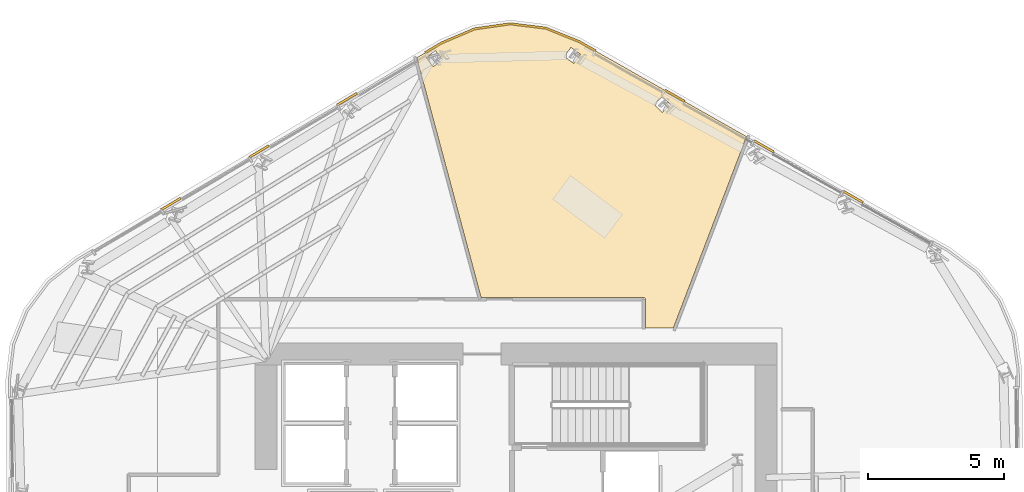
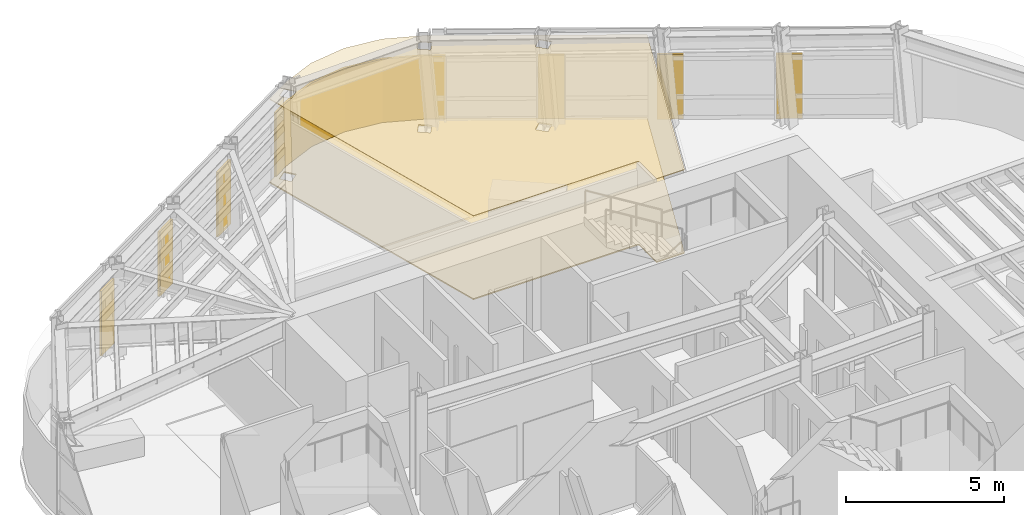
# One storey, part 15 of 16: 9 coverings.
"""IFC4 building model written with IfcOpenShell, lengths in metres."""

from ifc_helpers import new_model, si_unit, direction, frame, origin, place, context, subcontext, project, spatial, polyline, outline, extrude, material, layer, layer_set, type_object, element, save


model = new_model("IFC4")

# Units and contexts
model_context = context("Model", 3, precision=1e-05, world=origin(), true_north=direction((0.0, 1.0)))
body_context = subcontext(model_context, "Body", "Model", "MODEL_VIEW")
ifc_project = project(units=[si_unit("LENGTHUNIT", "METRE"), si_unit("AREAUNIT", "SQUARE_METRE"), si_unit("VOLUMEUNIT", "CUBIC_METRE"), si_unit("PLANEANGLEUNIT", "RADIAN"), si_unit("MASSUNIT", "GRAM", prefix="KILO")], contexts=[model_context])

# Site, building, storey
site_placement = place(None, origin())
site = spatial("IfcSite", under=ifc_project, at=site_placement, CompositionType="ELEMENT")
building_placement = place(site_placement, origin())
building = spatial("IfcBuilding", under=site, at=building_placement, Name="Valkerne Bourse Tower", CompositionType="ELEMENT")
storey_placement = place(building_placement, frame((0.0, 0.0, 155.199951171875)))
storey = spatial("IfcBuildingStorey", under=building, at=storey_placement, Name="L39", CompositionType="ELEMENT", Elevation=155.199951171875)

# Coverings
ifc_material_1 = material(Name="Mineral Fiber Acoustic Ceiling Tile", Category="acoustic")
ifc_layer_1 = layer(ifc_material_1, 0.02490234375)
ifc_layer_set_1 = layer_set([ifc_layer_1], Name="Mineral Fiber Acoustic Ceiling Tile")
covering_type_1 = type_object("IfcCoveringType", Name="COV-CEIL-ACT", PredefinedType="CEILING", material=ifc_layer_set_1)
covering_1_placement = place(storey_placement, frame((0.0, 0.0, 3.22998046875)))
element("IfcCovering", 1, at=covering_1_placement, inside=storey, type_object=covering_type_1, Name="L39 Suspended Ceiling 10", PredefinedType="CEILING", context=body_context, shape_type="SweptSolid", body=[
    extrude(outline(polyline([(46.583251953125, 47.69580078125), (47.893310546875, 47.537353515625), (49.126220703125, 47.041748046875), (55.288330078125, 43.54833984375), (52.592041015625, 36.5), (51.569091796875, 36.5), (51.56884765625, 37.5634765625), (51.5517578125, 37.606201171875), (51.510986328125, 37.628173828125), (45.514404296875, 37.62890625), (43.148193359375, 46.449462890625), (44.054443359375, 46.988525390625), (45.27685546875, 47.510009765625), (46.583251953125, 47.69580078125)]), holes=[polyline([(52.189697265625, 45.027587890625), (52.187255859375, 45.0283203125), (51.88671875, 44.743408203125), (52.17724609375, 44.435302734375), (52.179931640625, 44.4345703125), (52.48046875, 44.71923828125), (52.189697265625, 45.027587890625)]), polyline([(44.091064453125, 46.389892578125), (43.830322265625, 46.711669921875), (43.82763671875, 46.711181640625), (43.499267578125, 46.44384765625), (43.759765625, 46.1220703125), (43.7626953125, 46.12255859375), (44.091064453125, 46.389892578125)]), polyline([(48.82421875, 46.830322265625), (48.821533203125, 46.830810546875), (48.579833984375, 46.494384765625), (48.923095703125, 46.246337890625), (48.92578125, 46.24609375), (49.16748046875, 46.582275390625), (48.82421875, 46.830322265625)])]), origin(), (0.0, 0.0, 1.0), 0.025146484375),
])
ifc_material_2 = material(Name="Bronze Anodised Aluminium AA 6063-T6", Category="aluminium")
ifc_layer_2 = layer(ifc_material_2, 0.06005859375)
ifc_layer_set_2 = layer_set([ifc_layer_2], Name="Bronze Anodised Aluminium AA 6063-T6")
covering_type_2 = type_object("IfcCoveringType", Name="COV-CRN-ALUM", PredefinedType="CLADDING", material=ifc_layer_set_2)
covering_2_placement = place(storey_placement, origin())
element("IfcCovering", 2, at=covering_2_placement, inside=storey, type_object=covering_type_2, Name="L39 Wind-Shaped Corner Aluminium Cladding 14", PredefinedType="CLADDING", context=body_context, shape_type="SweptSolid", body=[
    extrude(outline(polyline([(34.4384765625, 41.319091796875), (34.479248046875, 41.25048828125), (33.75732421875, 40.82080078125), (33.716552734375, 40.889892578125), (34.4384765625, 41.319091796875)])), origin(), (0.0, 0.0, 1.0), 2.5),
])
covering_3_placement = place(storey_placement, origin())
element("IfcCovering", 3, at=covering_3_placement, inside=storey, type_object=covering_type_2, Name="L39 Wind-Shaped Corner Aluminium Cladding 15", PredefinedType="CLADDING", context=body_context, shape_type="SweptSolid", body=[
    extrude(outline(polyline([(37.67919921875, 43.247314453125), (37.719970703125, 43.17822265625), (36.998046875, 42.748779296875), (36.95751953125, 42.817626953125), (37.67919921875, 43.247314453125)])), origin(), (0.0, 0.0, 1.0), 2.5),
])
covering_4_placement = place(storey_placement, origin())
element("IfcCovering", 4, at=covering_4_placement, inside=storey, type_object=covering_type_2, Name="L39 Wind-Shaped Corner Aluminium Cladding 16", PredefinedType="CLADDING", context=body_context, shape_type="SweptSolid", body=[
    extrude(outline(polyline([(40.920166015625, 45.17529296875), (40.9609375, 45.106201171875), (40.239013671875, 44.677001953125), (40.1982421875, 44.745849609375), (40.920166015625, 45.17529296875)])), origin(), (0.0, 0.0, 1.0), 2.5),
])
covering_5_placement = place(storey_placement, origin())
element("IfcCovering", 5, at=covering_5_placement, inside=storey, type_object=covering_type_2, Name="L39 Wind-Shaped Corner Aluminium Cladding 17", PredefinedType="CLADDING", context=body_context, shape_type="SweptSolid", body=[
    extrude(outline(polyline([(44.03466796875, 47.02783203125), (45.264892578125, 47.552734375), (46.582763671875, 47.740234375), (47.904296875, 47.580322265625), (49.1455078125, 47.081298828125), (49.748046875, 46.73974609375), (49.708740234375, 46.670166015625), (49.110595703125, 47.00927734375), (47.88427734375, 47.502197265625), (46.58349609375, 47.65966796875), (45.28662109375, 47.474853515625), (44.07080078125, 46.95654296875), (43.47998046875, 46.60498046875), (43.439208984375, 46.673828125), (44.03466796875, 47.02783203125)])), origin(), (0.0, 0.0, 1.0), 2.5),
])
covering_6_placement = place(storey_placement, origin())
element("IfcCovering", 6, at=covering_6_placement, inside=storey, type_object=covering_type_2, Name="L39 Wind-Shaped Corner Aluminium Cladding 18", PredefinedType="CLADDING", context=body_context, shape_type="SweptSolid", body=[
    extrude(outline(polyline([(53.028564453125, 44.880126953125), (52.9892578125, 44.810302734375), (52.258544921875, 45.224609375), (52.2978515625, 45.29443359375), (53.028564453125, 44.880126953125)])), origin(), (0.0, 0.0, 1.0), 2.5),
])
covering_7_placement = place(storey_placement, origin())
element("IfcCovering", 7, at=covering_7_placement, inside=storey, type_object=covering_type_2, Name="L39 Wind-Shaped Corner Aluminium Cladding 19", PredefinedType="CLADDING", context=body_context, shape_type="SweptSolid", body=[
    extrude(outline(polyline([(56.30908203125, 43.0205078125), (56.27001953125, 42.95068359375), (55.5390625, 43.364990234375), (55.578369140625, 43.4345703125), (56.30908203125, 43.0205078125)])), origin(), (0.0, 0.0, 1.0), 2.5),
])
covering_8_placement = place(storey_placement, origin())
element("IfcCovering", 8, at=covering_8_placement, inside=storey, type_object=covering_type_2, Name="L39 Wind-Shaped Corner Aluminium Cladding 20", PredefinedType="CLADDING", context=body_context, shape_type="SweptSolid", body=[
    extrude(outline(polyline([(59.589599609375, 41.16064453125), (59.55029296875, 41.091064453125), (58.819580078125, 41.50537109375), (58.85888671875, 41.574951171875), (59.589599609375, 41.16064453125)])), origin(), (0.0, 0.0, 1.0), 2.5),
])
ifc_material_3 = material(Name="Galvanised Painted Steel", Category="steel")
ifc_layer_3 = layer(ifc_material_3, 0.044921875)
ifc_layer_set_3 = layer_set([ifc_layer_3], Name="Galvanised Painted Steel")
covering_type_3 = type_object("IfcCoveringType", Name="COV-FLR-RAF", PredefinedType="FLOORING", material=ifc_layer_set_3)
covering_9_placement = place(storey_placement, origin())
element("IfcCovering", 9, at=covering_9_placement, inside=storey, type_object=covering_type_3, Name="L39 Floor Finish 10", PredefinedType="FLOORING", context=body_context, shape_type="SweptSolid", body=[
    extrude(outline(polyline([(46.583251953125, 47.69580078125), (47.893310546875, 47.537353515625), (49.126220703125, 47.041748046875), (55.288330078125, 43.54833984375), (52.592041015625, 36.5), (51.569091796875, 36.5), (51.56884765625, 37.5634765625), (51.5517578125, 37.606201171875), (51.510986328125, 37.628173828125), (45.514404296875, 37.62890625), (43.148193359375, 46.449462890625), (44.054443359375, 46.988525390625), (45.27685546875, 47.510009765625), (46.583251953125, 47.69580078125)]), holes=[polyline([(52.189697265625, 45.027587890625), (52.187255859375, 45.0283203125), (51.88671875, 44.743408203125), (52.17724609375, 44.435302734375), (52.179931640625, 44.4345703125), (52.48046875, 44.71923828125), (52.189697265625, 45.027587890625)]), polyline([(44.091064453125, 46.389892578125), (43.830322265625, 46.711669921875), (43.82763671875, 46.711181640625), (43.499267578125, 46.44384765625), (43.759765625, 46.1220703125), (43.7626953125, 46.12255859375), (44.091064453125, 46.389892578125)]), polyline([(48.82421875, 46.830322265625), (48.821533203125, 46.830810546875), (48.579833984375, 46.494384765625), (48.923095703125, 46.246337890625), (48.92578125, 46.24609375), (49.16748046875, 46.582275390625), (48.82421875, 46.830322265625)])]), origin(), (0.0, 0.0, 1.0), 0.045166015625),
])

save(model, "model.ifc")
